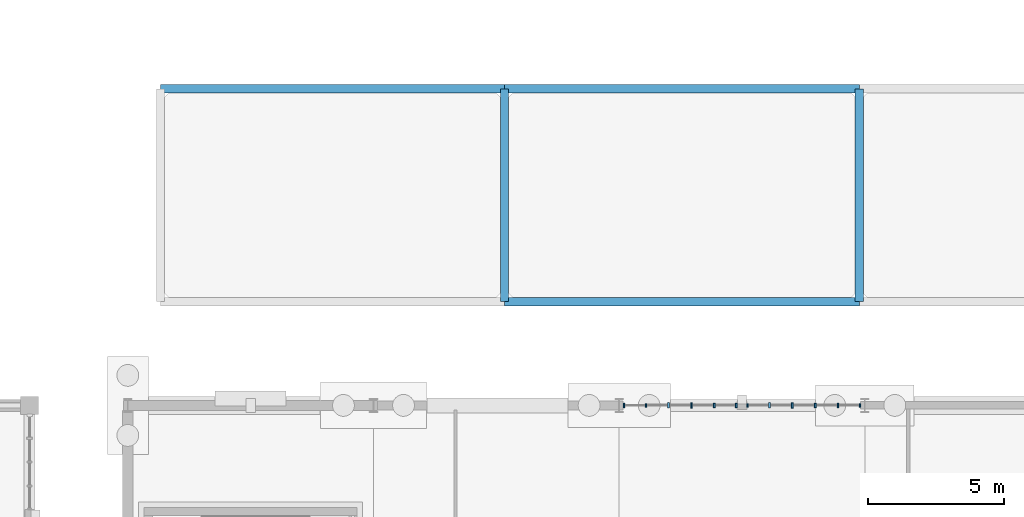
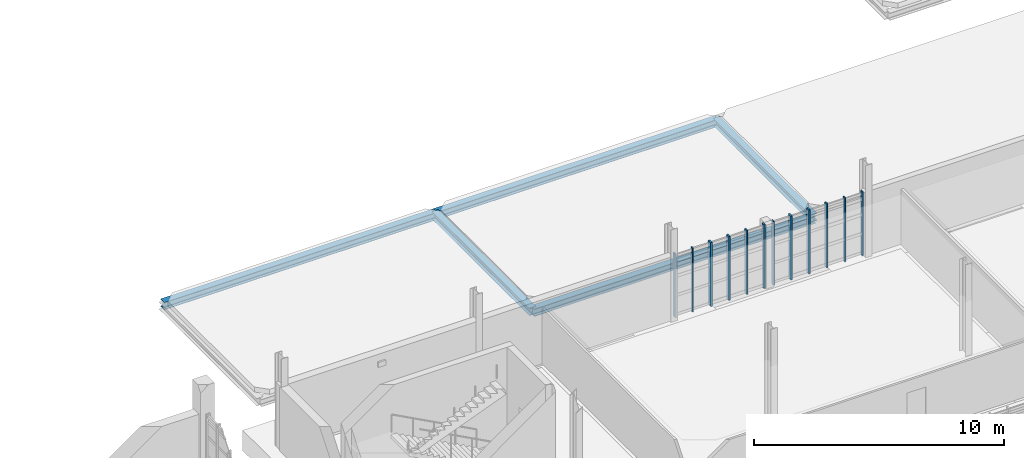
# One storey, part 34 of 125: 12 members, 5 beams, 2 elements without a shape of their own.
"""IFC4 building model written with IfcOpenShell, lengths in metres."""

from ifc_helpers import new_model, si_unit, direction, frame, origin, origin_2d, place, context, subcontext, project, spatial, rectangle, i_section, extrude, material, material_profile, profile_set, type_object, element, aggregate, save


model = new_model("IFC4")

# Units and contexts
model_context = context("Model", 3, precision=1e-05, world=origin(), true_north=direction((0.0, 1.0)))
body_context = subcontext(model_context, "Body", "Model", "MODEL_VIEW")
ifc_project = project(units=[si_unit("LENGTHUNIT", "METRE"), si_unit("AREAUNIT", "SQUARE_METRE"), si_unit("VOLUMEUNIT", "CUBIC_METRE"), si_unit("PLANEANGLEUNIT", "RADIAN"), si_unit("MASSUNIT", "GRAM", prefix="KILO")], contexts=[model_context])

# Site, building, storey
site_placement = place(None, origin())
site = spatial("IfcSite", under=ifc_project, at=site_placement, CompositionType="ELEMENT")
building_placement = place(site_placement, origin())
building = spatial("IfcBuilding", under=site, at=building_placement, Name="Serraforn Aerial Cableway Station", CompositionType="ELEMENT")
storey_placement = place(building_placement, frame((0.0, 0.0, 4.5)))
storey = spatial("IfcBuildingStorey", under=building, at=storey_placement, Name="L01", CompositionType="ELEMENT", Elevation=4.5)

# Beams
ifc_material_1 = material(Name="Steel S355JR", Category="steel")
ifc_material_profile_1 = material_profile(ifc_material_1, i_section(OverallWidth=0.300048828125, OverallDepth=0.360107421875, WebThickness=0.010009765625, FlangeThickness=0.017578125, FilletRadius=0.027099609375, at=origin_2d()), Name="HEA 360")
ifc_profile_set_1 = profile_set([ifc_material_profile_1], Name="Steel S355JR")
beam_type = type_object("IfcBeamType", Name="BM-ST-HEA360", PredefinedType="BEAM", material=ifc_profile_set_1)
beam_placement = place(storey_placement, frame((95.39990234375, 53.60009765625, -0.47998046875), z_axis=(1.0, 0.0, 0.0), x_axis=(0.0, 1.0, 0.0)))
element("IfcBeam", 1, at=beam_placement, inside=storey, type_object=beam_type, Name="Colonnade Spandrel Beam NPX-1-2", PredefinedType="BEAM", context=body_context, shape_type="SweptSolid", body=[
    extrude(i_section(OverallWidth=0.300048828125, OverallDepth=0.360107421875, WebThickness=0.010009765625, FlangeThickness=0.017578125, FilletRadius=0.027099609375, at=origin_2d()), origin(), (0.0, 0.0, 1.0), 12.60009765625),
])
for number, where, z_axis, x_axis, name in (
    (2, (108.0, 45.800048828125, -0.47998046875), (1.0, 0.0, 0.0), (0.0, 1.0, 0.0), "Colonnade Spandrel Beam NPX-2-1"),
    (3, (108.0, 53.60009765625, -0.47998046875), (1.0, 0.0, 0.0), (0.0, 1.0, 0.0), "Colonnade Spandrel Beam NPX-2-2"),
):
    element("IfcBeam", number, at=place(storey_placement, frame(where, z_axis=z_axis, x_axis=x_axis)), inside=storey, type_object=beam_type, Name=name, PredefinedType="BEAM", context=body_context, shape_type="SweptSolid", body=[
        extrude(i_section(OverallWidth=0.300048828125, OverallDepth=0.360107421875, WebThickness=0.010009765625, FlangeThickness=0.017578125, FilletRadius=0.027099609375, at=origin_2d()), origin(), (0.0, 0.0, 1.0), 13.0),
    ])
for number, where, z_axis, x_axis, name in (
    (4, (108.0, 45.800048828125, -0.47998046875), (0.0, 1.0, 0.0), (-1.0, 0.0, 0.0), "Colonnade Cross Beam NPY-2-1"),
    (5, (121.0, 45.800048828125, -0.47998046875), (0.0, 1.0, 0.0), (-1.0, 0.0, 0.0), "Colonnade Cross Beam NPY-3-1"),
):
    element("IfcBeam", number, at=place(storey_placement, frame(where, z_axis=z_axis, x_axis=x_axis)), inside=storey, type_object=beam_type, Name=name, PredefinedType="BEAM", context=body_context, shape_type="SweptSolid", body=[
        extrude(i_section(OverallWidth=0.300048828125, OverallDepth=0.360107421875, WebThickness=0.010009765625, FlangeThickness=0.017578125, FilletRadius=0.027099609375, at=origin_2d()), origin(), (0.0, 0.0, 1.0), 7.800048828125),
    ])

# Curtain wall, members
ifc_material_2 = material(Name="Anodised bronze unitised curtain wall")
curtain_wall_type_1 = type_object("IfcCurtainWallType", Name="CW-SYS-15", PredefinedType="USERDEFINED", material=ifc_material_2)
curtain_wall_1_placement = place(storey_placement, origin())
curtain_wall_1 = element("IfcCurtainWall", 6, at=curtain_wall_1_placement, inside=storey, type_object=curtain_wall_type_1, Name="Unitised Curtain Wall CW-EL-L01-N3A", ObjectType="UNITISED CURTAIN WALL", PredefinedType="USERDEFINED")
ifc_material_3 = material(Name="Anodised bronze extruded aluminium", Category="aluminium")
ifc_material_profile_2 = material_profile(ifc_material_3, rectangle(XDim=0.054931640625, YDim=0.139892578125, at=origin_2d()), Name="CW MULLION 55x140")
ifc_profile_set_2 = profile_set([ifc_material_profile_2], Name="Anodised bronze extruded aluminium")
member_type_1 = type_object("IfcMemberType", Name="CW-MUL-1", PredefinedType="MULLION", material=ifc_profile_set_2)
member_1_placement = place(storey_placement, frame((121.0244140625, 42.0, 0.0), z_axis=(0.0, 0.0, 1.0), x_axis=(-1.0, 0.0, 0.0)))
member_1 = element("IfcMember", 7, at=member_1_placement, type_object=member_type_1, Name="Curtain Wall Mullion CW-EL-L01-N3A-M1", PredefinedType="MULLION", context=body_context, shape_type="SweptSolid", body=[
    extrude(rectangle(XDim=0.054931640625, YDim=0.139892578125, at=origin_2d()), origin(), (0.0, 0.0, 1.0), 3.1201171875),
])
member_2_placement = place(storey_placement, frame((116.907470703125, 42.0, 0.0), z_axis=(0.0, 0.0, 1.0), x_axis=(-1.0, 0.0, 0.0)))
member_2 = element("IfcMember", 8, at=member_2_placement, type_object=member_type_1, Name="Curtain Wall Mullion CW-EL-L01-N3A-M6", PredefinedType="MULLION", context=body_context, shape_type="SweptSolid", body=[
    extrude(rectangle(XDim=0.054931640625, YDim=0.139892578125, at=origin_2d()), origin(), (0.0, 0.0, 1.0), 3.1201171875),
])

# Curtain wall, member
curtain_wall_type_2 = type_object("IfcCurtainWallType", Name="CW-SYS-16", PredefinedType="USERDEFINED", material=ifc_material_2)
curtain_wall_2_placement = place(storey_placement, origin())
curtain_wall_2 = element("IfcCurtainWall", 9, at=curtain_wall_2_placement, inside=storey, type_object=curtain_wall_type_2, Name="Unitised Curtain Wall CW-EL-L01-N3B", ObjectType="UNITISED CURTAIN WALL", PredefinedType="USERDEFINED")
member_3_placement = place(storey_placement, frame((113.182373046875, 42.0, 0.0), z_axis=(0.0, 0.0, 1.0), x_axis=(-1.0, 0.0, 0.0)))
member_3 = element("IfcMember", 10, at=member_3_placement, type_object=member_type_1, Name="Curtain Wall Mullion CW-EL-L01-N3B-M5", PredefinedType="MULLION", context=body_context, shape_type="SweptSolid", body=[
    extrude(rectangle(XDim=0.054931640625, YDim=0.139892578125, at=origin_2d()), origin(), (0.0, 0.0, 1.0), 3.1201171875),
])

# Member
ifc_material_profile_3 = material_profile(ifc_material_3, rectangle(XDim=0.06005859375, YDim=0.159912109375, at=origin_2d()), Name="CW MULLION 60x160")
ifc_profile_set_3 = profile_set([ifc_material_profile_3], Name="Anodised bronze extruded aluminium")
member_type_2 = type_object("IfcMemberType", Name="CW-MUL-2", PredefinedType="MULLION", material=ifc_profile_set_3)
member_4_placement = place(storey_placement, frame((120.217529296875, 42.0, 0.0), z_axis=(0.0, 0.0, 1.0), x_axis=(-1.0, 0.0, 0.0)))
member_4 = element("IfcMember", 11, at=member_4_placement, type_object=member_type_2, Name="Curtain Wall Mullion CW-EL-L01-N3A-M2", PredefinedType="MULLION", context=body_context, shape_type="SweptSolid", body=[
    extrude(rectangle(XDim=0.06005859375, YDim=0.159912109375, at=origin_2d()), origin(), (0.0, 0.0, 1.0), 3.1201171875),
])

member_5_placement = place(storey_placement, frame((116.489990234375, 42.0, 0.0), z_axis=(0.0, 0.0, 1.0), x_axis=(-1.0, 0.0, 0.0)))
member_5 = element("IfcMember", 12, at=member_5_placement, type_object=member_type_2, Name="Curtain Wall Mullion CW-EL-L01-N3B-M1", PredefinedType="MULLION", context=body_context, shape_type="SweptSolid", body=[
    extrude(rectangle(XDim=0.06005859375, YDim=0.159912109375, at=origin_2d()), origin(), (0.0, 0.0, 1.0), 3.1201171875),
])

member_6_placement = place(storey_placement, frame((112.3779296875, 42.0, 0.0), z_axis=(0.0, 0.0, 1.0), x_axis=(-1.0, 0.0, 0.0)))
member_6 = element("IfcMember", 13, at=member_6_placement, type_object=member_type_2, Name="Curtain Wall Mullion CW-EL-L01-N3B-M6", PredefinedType="MULLION", context=body_context, shape_type="SweptSolid", body=[
    extrude(rectangle(XDim=0.06005859375, YDim=0.159912109375, at=origin_2d()), origin(), (0.0, 0.0, 1.0), 3.1201171875),
])

ifc_material_profile_4 = material_profile(ifc_material_3, rectangle(XDim=0.06494140625, YDim=0.175048828125, at=origin_2d()), Name="CW MULLION 65x175")
ifc_profile_set_4 = profile_set([ifc_material_profile_4], Name="Anodised bronze extruded aluminium")
member_type_3 = type_object("IfcMemberType", Name="CW-MUL-3", PredefinedType="MULLION", material=ifc_profile_set_4)
member_7_placement = place(storey_placement, frame((119.38330078125, 42.0, 0.0), z_axis=(0.0, 0.0, 1.0), x_axis=(-1.0, 0.0, 0.0)))
member_7 = element("IfcMember", 14, at=member_7_placement, type_object=member_type_3, Name="Curtain Wall Mullion CW-EL-L01-N3A-M3", PredefinedType="MULLION", context=body_context, shape_type="SweptSolid", body=[
    extrude(rectangle(XDim=0.06494140625, YDim=0.175048828125, at=origin_2d()), origin(), (0.0, 0.0, 1.0), 3.1201171875),
])

member_8_placement = place(storey_placement, frame((115.685546875, 42.0, 0.0), z_axis=(0.0, 0.0, 1.0), x_axis=(-1.0, 0.0, 0.0)))
member_8 = element("IfcMember", 15, at=member_8_placement, type_object=member_type_3, Name="Curtain Wall Mullion CW-EL-L01-N3B-M2", PredefinedType="MULLION", context=body_context, shape_type="SweptSolid", body=[
    extrude(rectangle(XDim=0.06494140625, YDim=0.175048828125, at=origin_2d()), origin(), (0.0, 0.0, 1.0), 3.1201171875),
])

ifc_material_profile_5 = material_profile(ifc_material_3, rectangle(XDim=0.070068359375, YDim=0.18994140625, at=origin_2d()), Name="CW MULLION 70x190")
ifc_profile_set_5 = profile_set([ifc_material_profile_5], Name="Anodised bronze extruded aluminium")
member_type_4 = type_object("IfcMemberType", Name="CW-MUL-4", PredefinedType="MULLION", material=ifc_profile_set_5)
member_9_placement = place(storey_placement, frame((118.548828125, 42.0, 0.0), z_axis=(0.0, 0.0, 1.0), x_axis=(-1.0, 0.0, 0.0)))
member_9 = element("IfcMember", 16, at=member_9_placement, type_object=member_type_4, Name="Curtain Wall Mullion CW-EL-L01-N3A-M4", PredefinedType="MULLION", context=body_context, shape_type="SweptSolid", body=[
    extrude(rectangle(XDim=0.070068359375, YDim=0.18994140625, at=origin_2d()), origin(), (0.0, 0.0, 1.0), 3.1201171875),
])

member_10_placement = place(storey_placement, frame((114.851318359375, 42.0, 0.0), z_axis=(0.0, 0.0, 1.0), x_axis=(-1.0, 0.0, 0.0)))
member_10 = element("IfcMember", 17, at=member_10_placement, type_object=member_type_4, Name="Curtain Wall Mullion CW-EL-L01-N3B-M3", PredefinedType="MULLION", context=body_context, shape_type="SweptSolid", body=[
    extrude(rectangle(XDim=0.070068359375, YDim=0.18994140625, at=origin_2d()), origin(), (0.0, 0.0, 1.0), 3.1201171875),
])

ifc_material_profile_6 = material_profile(ifc_material_3, rectangle(XDim=0.074951171875, YDim=0.199951171875, at=origin_2d()), Name="CW MULLION 75x200")
ifc_profile_set_6 = profile_set([ifc_material_profile_6], Name="Anodised bronze extruded aluminium")
member_type_5 = type_object("IfcMemberType", Name="CW-MUL-5", PredefinedType="MULLION", material=ifc_profile_set_6)
member_11_placement = place(storey_placement, frame((117.71435546875, 42.0, 0.0), z_axis=(0.0, 0.0, 1.0), x_axis=(-1.0, 0.0, 0.0)))
member_11 = element("IfcMember", 18, at=member_11_placement, type_object=member_type_5, Name="Curtain Wall Mullion CW-EL-L01-N3A-M5", PredefinedType="MULLION", context=body_context, shape_type="SweptSolid", body=[
    extrude(rectangle(XDim=0.074951171875, YDim=0.199951171875, at=origin_2d()), origin(), (0.0, 0.0, 1.0), 3.1201171875),
])

aggregate(curtain_wall_1, [member_1, member_4, member_7, member_9, member_11, member_2])

member_12_placement = place(storey_placement, frame((114.016845703125, 42.0, 0.0), z_axis=(0.0, 0.0, 1.0), x_axis=(-1.0, 0.0, 0.0)))
member_12 = element("IfcMember", 19, at=member_12_placement, type_object=member_type_5, Name="Curtain Wall Mullion CW-EL-L01-N3B-M4", PredefinedType="MULLION", context=body_context, shape_type="SweptSolid", body=[
    extrude(rectangle(XDim=0.074951171875, YDim=0.199951171875, at=origin_2d()), origin(), (0.0, 0.0, 1.0), 3.1201171875),
])

aggregate(curtain_wall_2, [member_5, member_8, member_10, member_12, member_3, member_6])

save(model, "model.ifc")
